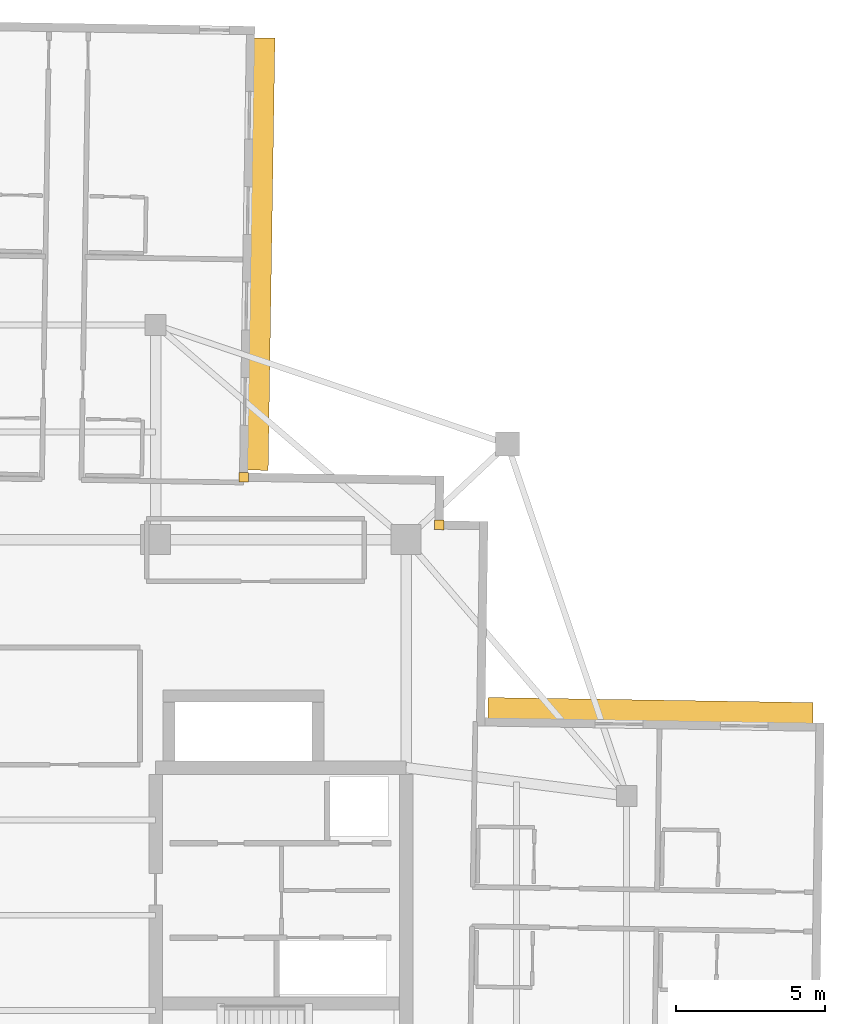
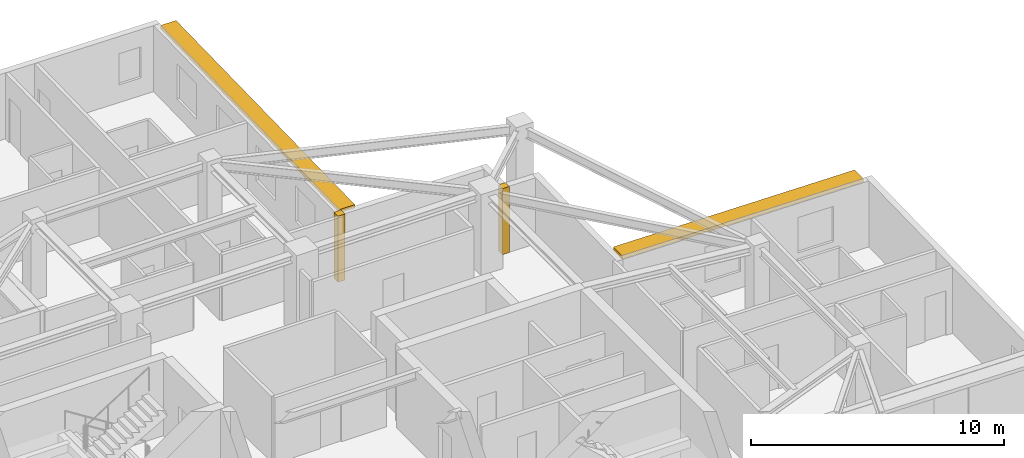
# One storey, part 12 of 12: 2 coverings, 2 shading devices.
"""IFC4 building model written with IfcOpenShell, lengths in metres."""

from ifc_helpers import new_model, si_unit, direction, frame, origin, origin_2d, place, context, subcontext, project, spatial, rectangle, extrude, material, layer, layer_set, type_object, element, save


model = new_model("IFC4")

# Units and contexts
model_context = context("Model", 3, precision=1e-05, world=origin(), true_north=direction((0.0, 1.0)))
body_context = subcontext(model_context, "Body", "Model", "MODEL_VIEW")
ifc_project = project(units=[si_unit("LENGTHUNIT", "METRE"), si_unit("AREAUNIT", "SQUARE_METRE"), si_unit("VOLUMEUNIT", "CUBIC_METRE"), si_unit("PLANEANGLEUNIT", "RADIAN"), si_unit("MASSUNIT", "GRAM", prefix="KILO")], contexts=[model_context])

# Site, building, storey
site_placement = place(None, origin())
site = spatial("IfcSite", under=ifc_project, at=site_placement, CompositionType="ELEMENT")
building_placement = place(site_placement, origin())
building = spatial("IfcBuilding", under=site, at=building_placement, Name="Qingluan Cross Belvedere", CompositionType="ELEMENT")
storey_placement = place(building_placement, frame((0.0, 0.0, 261.60009765625)))
storey = spatial("IfcBuildingStorey", under=building, at=storey_placement, Name="L65", CompositionType="ELEMENT", Elevation=261.60009765625)

# Coverings
ifc_material_1 = material(Name="Precast concrete C45", Category="concrete")
ifc_layer_1 = layer(ifc_material_1, 0.1201171875, Name="ConcreteSpandrelCladding_120")
ifc_layer_set_1 = layer_set([ifc_layer_1], Name="Precast concrete C45")
covering_type = type_object("IfcCoveringType", Name="ConcreteSpandrelCladding_120", PredefinedType="CLADDING", material=ifc_layer_set_1)
for number, where, z_axis, x_axis, name in (
    (1, (13.50732421875, 13.089599609375, 0.0), (0.0, 0.0, 1.0), (0.999876632482, -0.015707317312, 0.0), "Corner closure L65-NE1"),
    (2, (6.95166015625, 14.692626953125, 0.0), (0.0, 0.0, 1.0), (0.999876632482, -0.015707317312, 0.0), "Corner closure L65-NE2"),
):
    element("IfcCovering", number, at=place(storey_placement, frame(where, z_axis=z_axis, x_axis=x_axis)), inside=storey, type_object=covering_type, Name=name, PredefinedType="CLADDING", context=body_context, shape_type="SweptSolid", body=[
        extrude(rectangle(XDim=0.320068359375, YDim=0.320068359375, at=origin_2d()), origin(), (0.0, 0.0, 1.0), 3.179931640625),
    ])

# Shading devices
ifc_material_2 = material(Name="Precast concrete C45", Category="concrete")
ifc_layer_2 = layer(ifc_material_2, 0.139892578125, Name="ConcreteSunshadeBand_700")
ifc_layer_set_2 = layer_set([ifc_layer_2], Name="Precast concrete C45")
shading_device_type = type_object("IfcShadingDeviceType", Name="ConcreteSunshadeBand_700", PredefinedType="USERDEFINED", material=ifc_layer_set_2)
shading_device_1_placement = place(storey_placement, frame((20.600341796875, 6.8671875, 3.0), z_axis=(0.0, 0.0, 1.0), x_axis=(-0.999876704265, 0.015702747155, 0.0)))
element("IfcShadingDevice", 3, at=shading_device_1_placement, inside=storey, type_object=shading_device_type, Name="Concrete SUNSHADE L65-EB", ObjectType="SUNSHADE", PredefinedType="USERDEFINED", context=body_context, shape_type="SweptSolid", body=[
    extrude(rectangle(XDim=10.89990234375, YDim=0.699951171875, at=origin_2d()), origin(), (0.0, 0.0, 1.0), 0.159912109375),
])
shading_device_2_placement = place(storey_placement, frame((7.539306640625, 22.17431640625, 3.0), z_axis=(0.0, 0.0, 1.0), x_axis=(0.015707468526, 0.999876630106, 0.0)))
element("IfcShadingDevice", 4, at=shading_device_2_placement, inside=storey, type_object=shading_device_type, Name="Concrete SUNSHADE L65-NA", ObjectType="SUNSHADE", PredefinedType="USERDEFINED", context=body_context, shape_type="SweptSolid", body=[
    extrude(rectangle(XDim=14.5, YDim=0.699951171875, at=origin_2d()), origin(), (0.0, 0.0, 1.0), 0.159912109375),
])

save(model, "model.ifc")
